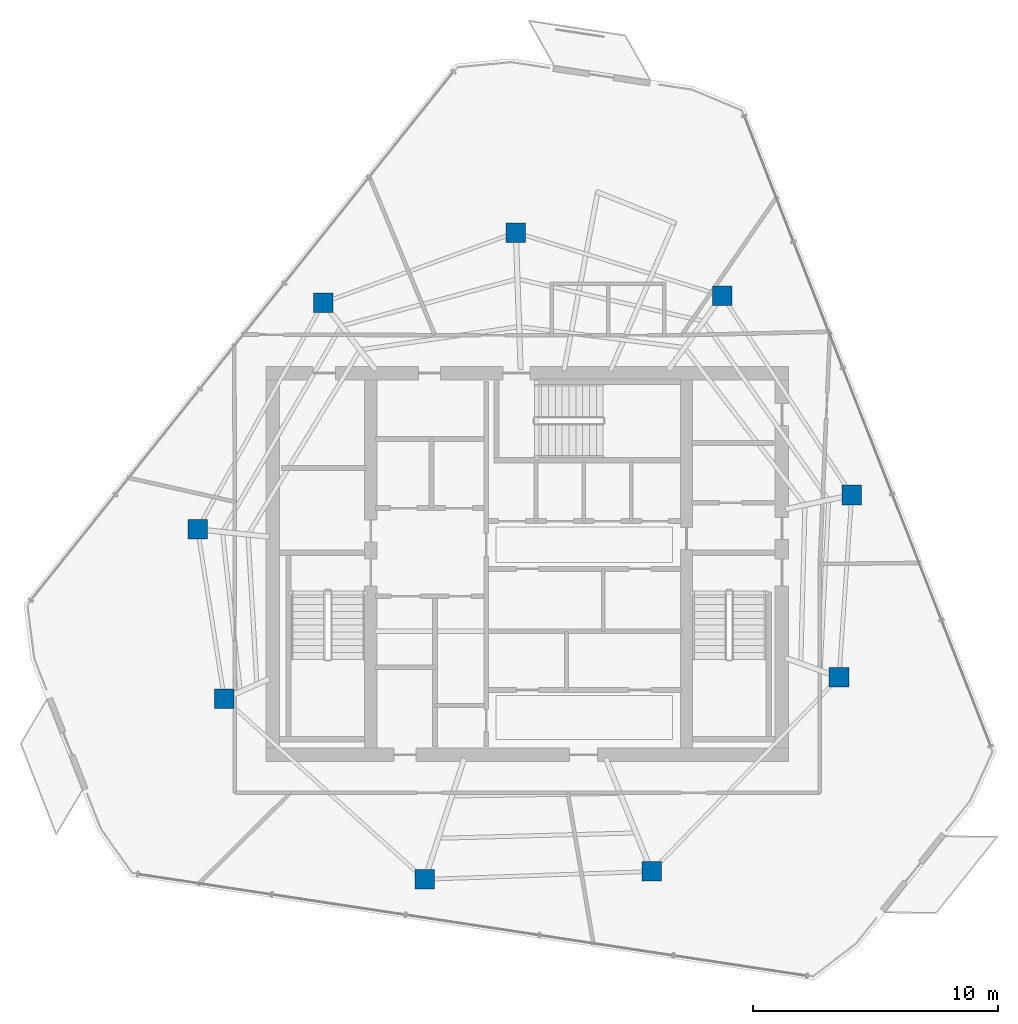
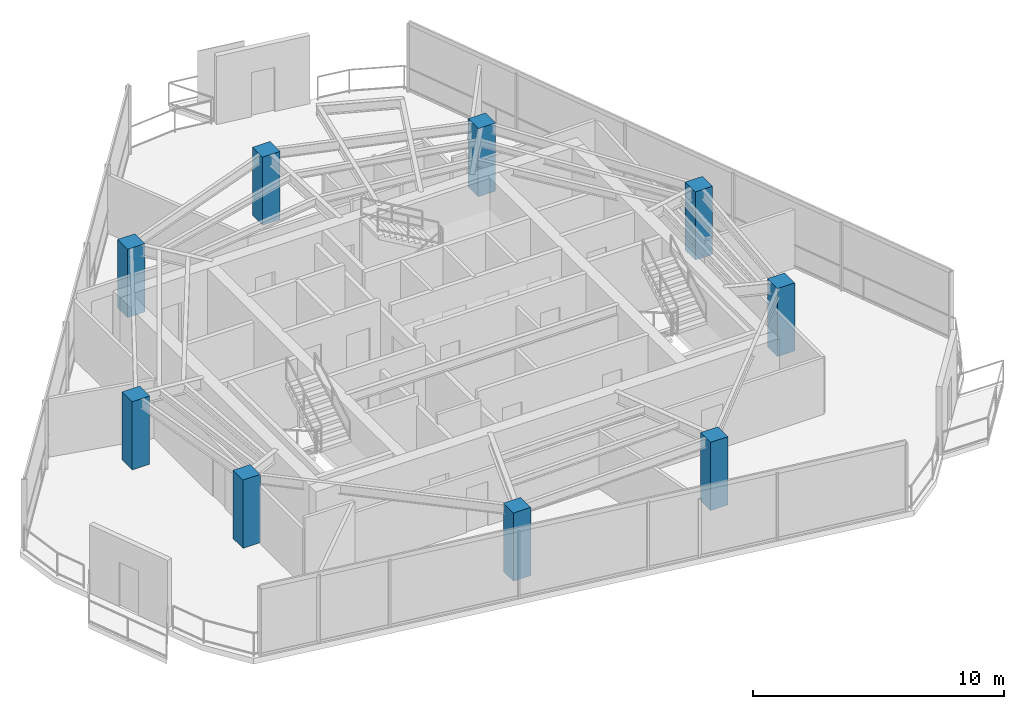
# One storey, part 1 of 19: 9 columns.
"""IFC4 building model written with IfcOpenShell, lengths in metres."""

from ifc_helpers import new_model, si_unit, direction, frame, origin, origin_2d, place, context, subcontext, project, spatial, rectangle, extrude, material, material_profile, profile_set, type_object, element, save


model = new_model("IFC4")

# Units and contexts
model_context = context("Model", 3, precision=1e-05, world=origin(), true_north=direction((0.0, 1.0)))
body_context = subcontext(model_context, "Body", "Model", "MODEL_VIEW")
ifc_project = project(units=[si_unit("LENGTHUNIT", "METRE"), si_unit("AREAUNIT", "SQUARE_METRE"), si_unit("VOLUMEUNIT", "CUBIC_METRE"), si_unit("PLANEANGLEUNIT", "RADIAN"), si_unit("MASSUNIT", "GRAM", prefix="KILO")], contexts=[model_context])

# Site, building, storey
site_placement = place(None, origin())
site = spatial("IfcSite", under=ifc_project, at=site_placement, CompositionType="ELEMENT")
building_placement = place(site_placement, origin())
building = spatial("IfcBuilding", under=site, at=building_placement, Name="Qarnah Convention Tower", CompositionType="ELEMENT")
storey_placement = place(building_placement, frame((0.0, 0.0, 260.699951171875)))
storey = spatial("IfcBuildingStorey", under=building, at=storey_placement, Name="L70", CompositionType="ELEMENT", Elevation=260.699951171875)

# Columns
ifc_material = material(Name="Concrete C50/60", Category="concrete")
ifc_material_profile = material_profile(ifc_material, rectangle(XDim=0.800048828125, YDim=0.800048828125, at=origin_2d()), Name="RC-COL-800X800")
ifc_profile_set = profile_set([ifc_material_profile], Name="Concrete C50/60")
column_type = type_object("IfcColumnType", Name="COL-Z5-800", PredefinedType="COLUMN", material=ifc_profile_set)
for number, where, z_axis, x_axis, name in (
    (1, (50.4541015625, 29.217041015625, 0.0), (0.0, 0.0, 1.0), (1.0, 0.0, 0.0), "L70 plumb column PC-Z5-01"),
    (2, (45.1640625, 37.362060546875, 0.0), (0.0, 0.0, 1.0), (1.0, 0.0, 0.0), "L70 plumb column PC-Z5-02"),
    (3, (36.72705078125, 39.94189453125, 0.0), (0.0, 0.0, 1.0), (1.0, 0.0, 0.0), "L70 plumb column PC-Z5-03"),
    (4, (28.85791015625, 37.077880859375, 0.0), (0.0, 0.0, 1.0), (1.0, 0.0, 0.0), "L70 plumb column PC-Z5-04"),
    (5, (23.72412109375, 27.81591796875, 0.0), (0.0, 0.0, 1.0), (1.0, 0.0, 0.0), "L70 plumb column PC-Z5-05"),
    (6, (24.821044921875, 20.888916015625, 0.0), (0.0, 0.0, 1.0), (1.0, 0.0, 0.0), "L70 plumb column PC-Z5-06"),
    (7, (33.012939453125, 13.512939453125, 0.0), (0.0, 0.0, 1.0), (1.0, 0.0, 0.0), "L70 plumb column PC-Z5-07"),
    (8, (42.27587890625, 13.8369140625, 0.0), (0.0, 0.0, 1.0), (1.0, 0.0, 0.0), "L70 plumb column PC-Z5-08"),
    (9, (49.93310546875, 21.76611328125, 0.0), (0.0, 0.0, 1.0), (1.0, 0.0, 0.0), "L70 plumb column PC-Z5-09"),
):
    element("IfcColumn", number, at=place(storey_placement, frame(where, z_axis=z_axis, x_axis=x_axis)), inside=storey, type_object=column_type, Name=name, PredefinedType="COLUMN", context=body_context, shape_type="SweptSolid", body=[
        extrude(rectangle(XDim=0.800048828125, YDim=0.800048828125, at=origin_2d()), origin(), (0.0, 0.0, 1.0), 3.320068359375),
    ])

save(model, "model.ifc")
